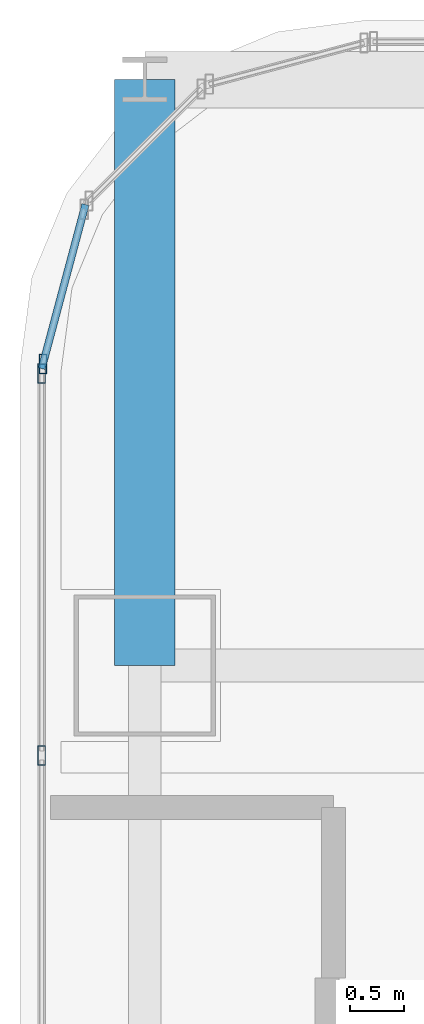
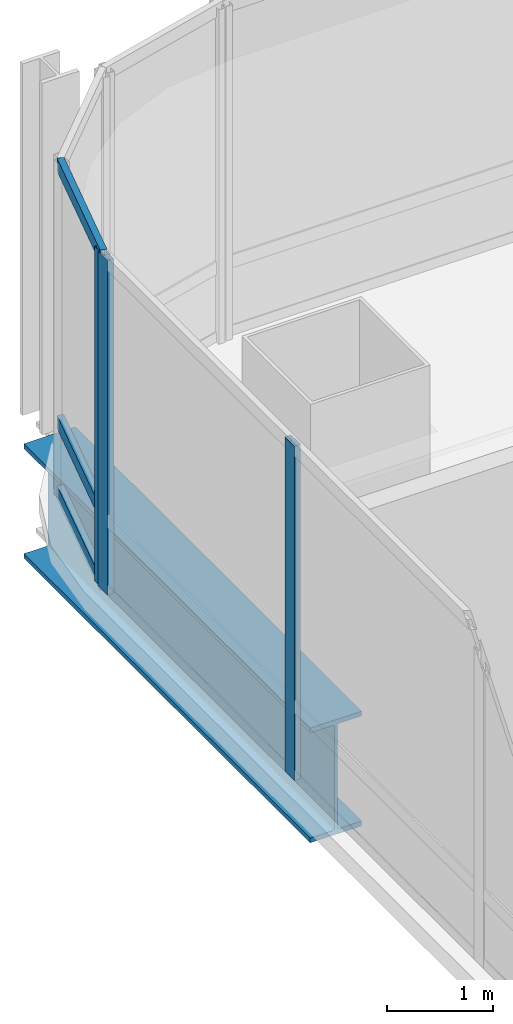
# One storey, part 22 of 42: 6 members, 1 beam, 2 elements without a shape of their own.
"""IFC4 building model written with IfcOpenShell, lengths in metres."""

from ifc_helpers import new_model, si_unit, direction, frame, origin, origin_2d, place, context, subcontext, project, spatial, hollow_rectangle, i_section, extrude, material, material_profile, profile_set, type_object, element, aggregate, save


model = new_model("IFC4")

# Units and contexts
model_context = context("Model", 3, precision=1e-05, world=origin(), true_north=direction((0.0, 1.0)))
body_context = subcontext(model_context, "Body", "Model", "MODEL_VIEW")
ifc_project = project(units=[si_unit("LENGTHUNIT", "METRE"), si_unit("AREAUNIT", "SQUARE_METRE"), si_unit("VOLUMEUNIT", "CUBIC_METRE"), si_unit("PLANEANGLEUNIT", "RADIAN"), si_unit("MASSUNIT", "GRAM", prefix="KILO")], contexts=[model_context])

# Site, building, storey
site_placement = place(None, origin())
site = spatial("IfcSite", under=ifc_project, at=site_placement, CompositionType="ELEMENT")
building_placement = place(site_placement, origin())
building = spatial("IfcBuilding", under=site, at=building_placement, Name="Punatoya Terracotta Tower", CompositionType="ELEMENT")
storey_placement = place(building_placement, frame((0.0, 0.0, 259.5)))
storey = spatial("IfcBuildingStorey", under=building, at=storey_placement, Name="L61", CompositionType="ELEMENT", Elevation=259.5)

# Beam
ifc_material_1 = material(Name="Steel S460", Category="steel")
ifc_material_profile_1 = material_profile(ifc_material_1, i_section(OverallWidth=0.56005859375, OverallDepth=1.320068359375, WebThickness=0.035888671875, FlangeThickness=0.054931640625, FilletRadius=0.01806640625, at=origin_2d()))
ifc_profile_set_1 = profile_set([ifc_material_profile_1], Name="Steel S460")
beam_type = type_object("IfcBeamType", Name="BM-TG-BLK", PredefinedType="BEAM", material=ifc_profile_set_1)
beam_placement = place(storey_placement, frame((-19.10009765625, 17.5, -0.860107421875), z_axis=(0.0, 1.0, 0.0), x_axis=(-1.0, 0.0, 0.0)))
element("IfcBeam", 1, at=beam_placement, inside=storey, type_object=beam_type, Name="BM-L61-CANT-N1", PredefinedType="BEAM", context=body_context, shape_type="SweptSolid", body=[
    extrude(i_section(OverallWidth=0.56005859375, OverallDepth=1.320068359375, WebThickness=0.035888671875, FlangeThickness=0.054931640625, FilletRadius=0.01806640625, at=origin_2d()), origin(), (0.0, 0.0, 1.0), 5.39990234375),
])

# Curtain wall, member
ifc_material_2 = material(Name="Aluminium 6063-T6 + Double Low-E Glass", Category="aluminium")
curtain_wall_type = type_object("IfcCurtainWallType", Name="CW-M3", PredefinedType="NOTDEFINED", material=ifc_material_2)
curtain_wall_1_placement = place(storey_placement, origin())
curtain_wall_1 = element("IfcCurtainWall", 2, at=curtain_wall_1_placement, inside=storey, type_object=curtain_wall_type, Name="L61 Curtain Wall CW-L61-CRN12", PredefinedType="NOTDEFINED")
ifc_material_3 = material(Name="Aluminium 6063-T6", Category="aluminium")
ifc_material_profile_2 = material_profile(ifc_material_3, hollow_rectangle(XDim=0.070068359375, YDim=0.179931640625, WallThickness=0.00390625, at=origin_2d()))
ifc_profile_set_2 = profile_set([ifc_material_profile_2], Name="Aluminium 6063-T6")
member_type_1 = type_object("IfcMemberType", Name="CW-MUL-M3", PredefinedType="MULLION", material=ifc_profile_set_2)
member_1_placement = place(storey_placement, frame((-20.038330078125, 20.280517578125, 0.0), z_axis=(0.0, 0.0, 1.0), x_axis=(1.0, 0.0, 0.0)))
member_1 = element("IfcMember", 3, at=member_1_placement, type_object=member_type_1, Name="CW-L61-CRN12 Mullion 01", PredefinedType="MULLION", context=body_context, shape_type="SweptSolid", body=[
    extrude(hollow_rectangle(XDim=0.070068359375, YDim=0.179931640625, WallThickness=0.00390625, at=origin_2d()), origin(), (0.0, 0.0, 1.0), 3.85009765625),
])

# Curtain wall, members
curtain_wall_2_placement = place(storey_placement, origin())
curtain_wall_2 = element("IfcCurtainWall", 4, at=curtain_wall_2_placement, inside=storey, type_object=curtain_wall_type, Name="L61 Curtain Wall CW-L61-W13-1", PredefinedType="NOTDEFINED")
member_2_placement = place(storey_placement, frame((-20.050048828125, 20.19189453125, 0.0), z_axis=(0.0, 0.0, 1.0), x_axis=(1.0, 0.0, 0.0)))
member_2 = element("IfcMember", 5, at=member_2_placement, type_object=member_type_1, Name="CW-L61-W13-1 Mullion 00", PredefinedType="MULLION", context=body_context, shape_type="SweptSolid", body=[
    extrude(hollow_rectangle(XDim=0.070068359375, YDim=0.179931640625, WallThickness=0.00390625, at=origin_2d()), origin(), (0.0, 0.0, 1.0), 3.85009765625),
])
member_3_placement = place(storey_placement, frame((-20.050048828125, 16.66943359375, 0.0), z_axis=(0.0, 0.0, 1.0), x_axis=(1.0, 0.0, 0.0)))
member_3 = element("IfcMember", 6, at=member_3_placement, type_object=member_type_1, Name="CW-L61-W13-1 Mullion 01", PredefinedType="MULLION", context=body_context, shape_type="SweptSolid", body=[
    extrude(hollow_rectangle(XDim=0.070068359375, YDim=0.179931640625, WallThickness=0.00390625, at=origin_2d()), origin(), (0.0, 0.0, 1.0), 3.85009765625),
])
aggregate(curtain_wall_2, [member_2, member_3])

# Member
ifc_material_profile_3 = material_profile(ifc_material_3, hollow_rectangle(XDim=0.068115234375, YDim=0.14990234375, WallThickness=0.00390625, at=origin_2d()))
ifc_profile_set_3 = profile_set([ifc_material_profile_3], Name="Aluminium 6063-T6")
member_type_2 = type_object("IfcMemberType", Name="CW-TRN-TYP", PredefinedType="USERDEFINED", material=ifc_profile_set_3)
member_4_placement = place(storey_placement, frame((-19.646484375, 21.7490234375, 0.0400390625), z_axis=(-0.257847112249, -0.966185730957, 0.0), x_axis=(0.966185730957, -0.257847112249, 0.0)))
member_4 = element("IfcMember", 7, at=member_4_placement, type_object=member_type_2, Name="CW-L61-CRN12 Transom 1", ObjectType="TRANSOM", PredefinedType="USERDEFINED", context=body_context, shape_type="SweptSolid", body=[
    extrude(hollow_rectangle(XDim=0.068115234375, YDim=0.14990234375, WallThickness=0.00390625, at=origin_2d()), origin(), (0.0, 0.0, 1.0), 1.565185546875),
])

member_5_placement = place(storey_placement, frame((-19.646484375, 21.7490234375, 0.85009765625), z_axis=(-0.257847112249, -0.966185730957, 0.0), x_axis=(0.966185730957, -0.257847112249, 0.0)))
member_5 = element("IfcMember", 8, at=member_5_placement, type_object=member_type_2, Name="CW-L61-CRN12 Transom 2", ObjectType="TRANSOM", PredefinedType="USERDEFINED", context=body_context, shape_type="SweptSolid", body=[
    extrude(hollow_rectangle(XDim=0.068115234375, YDim=0.14990234375, WallThickness=0.00390625, at=origin_2d()), origin(), (0.0, 0.0, 1.0), 1.565185546875),
])

member_6_placement = place(storey_placement, frame((-19.646484375, 21.7490234375, 3.81005859375), z_axis=(-0.257847112249, -0.966185730957, 0.0), x_axis=(0.966185730957, -0.257847112249, 0.0)))
member_6 = element("IfcMember", 9, at=member_6_placement, type_object=member_type_2, Name="CW-L61-CRN12 Transom 3", ObjectType="TRANSOM", PredefinedType="USERDEFINED", context=body_context, shape_type="SweptSolid", body=[
    extrude(hollow_rectangle(XDim=0.068115234375, YDim=0.14990234375, WallThickness=0.00390625, at=origin_2d()), origin(), (0.0, 0.0, 1.0), 1.565185546875),
])

aggregate(curtain_wall_1, [member_1, member_4, member_5, member_6])

save(model, "model.ifc")
